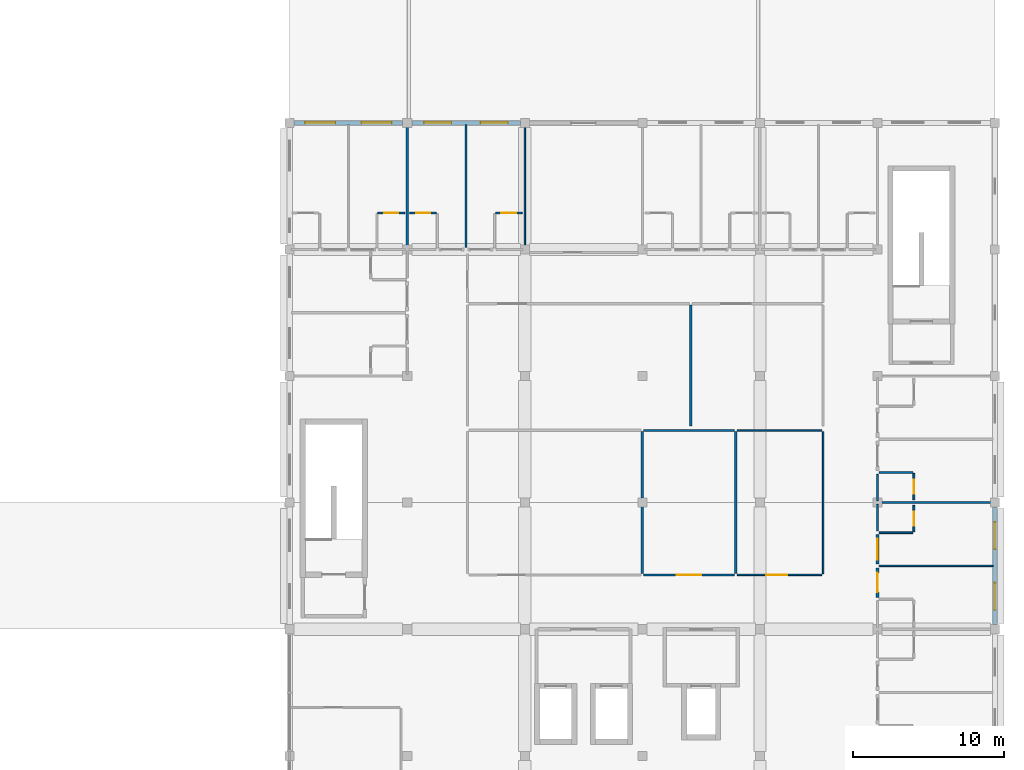
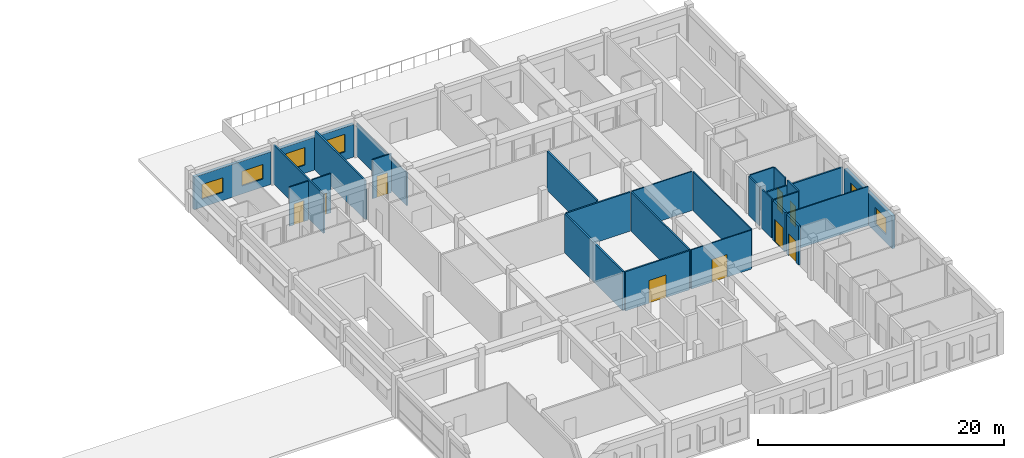
# One storey, part 22 of 32: 27 walls, 9 doors, 6 windows, 15 openings.
"""IFC4 building model written with IfcOpenShell, lengths in metres."""

from ifc_helpers import new_model, si_unit, direction, frame, frame_2d, origin, place, context, subcontext, project, spatial, rectangle, extrude, material, layer, layer_set, type_object, element, fill, save


model = new_model("IFC4")

# Units and contexts
model_context = context("Model", 3, precision=1e-05, world=origin(), true_north=direction((0.0, 1.0)))
body_context = subcontext(model_context, "Body", "Model", "MODEL_VIEW")
ifc_project = project(units=[si_unit("LENGTHUNIT", "METRE"), si_unit("AREAUNIT", "SQUARE_METRE"), si_unit("VOLUMEUNIT", "CUBIC_METRE"), si_unit("PLANEANGLEUNIT", "RADIAN"), si_unit("MASSUNIT", "GRAM", prefix="KILO"), si_unit("THERMODYNAMICTEMPERATUREUNIT", "KELVIN"), si_unit("POWERUNIT", "WATT")], contexts=[model_context])

# Site, building, storey
site_placement = place(None, origin())
site = spatial("IfcSite", under=ifc_project, at=site_placement, CompositionType="ELEMENT")
building_placement = place(site_placement, origin())
building = spatial("IfcBuilding", under=site, at=building_placement, Name="Srebrne Nadtorze General Hospital", CompositionType="ELEMENT")
storey_placement = place(building_placement, frame((0.0, 0.0, 29.699951171875)))
storey = spatial("IfcBuildingStorey", under=building, at=storey_placement, Name="L07", CompositionType="ELEMENT", Elevation=29.699951171875)

# Walls
ifc_material_1 = material(Name="Gypsum Healthcare Partition")
ifc_layer_1 = layer(ifc_material_1, 0.139892578125)
ifc_layer_set_1 = layer_set([ifc_layer_1], Name="Gypsum Healthcare Partition")
wall_type_1 = type_object("IfcWallType", Name="Clinical partition 140", PredefinedType="PARTITIONING", material=ifc_layer_set_1)
wall_1_placement = place(storey_placement, frame((109.199951171875, 75.719970703125, 0.0), z_axis=(0.0, 0.0, 1.0), x_axis=(0.0, 1.0, 0.0)))
element("IfcWall", 1, at=wall_1_placement, inside=storey, type_object=wall_type_1, Name="Ward inter-room partition WL-INT-L07-2335", PredefinedType="PARTITIONING", context=body_context, shape_type="SweptSolid", body=[
    extrude(rectangle(XDim=8.159912109375, YDim=0.139892578125, at=frame_2d((4.080078125, 0.0))), origin(), (0.0, 0.0, 1.0), 3.880126953125),
])
wall_2_placement = place(storey_placement, frame((140.52001953125, 58.800048828125, 0.0), z_axis=(0.0, 0.0, 1.0), x_axis=(1.0, 0.0, 0.0)))
element("IfcWall", 2, at=wall_2_placement, inside=storey, type_object=wall_type_1, Name="Ward inter-room partition WL-INT-L07-2396", PredefinedType="PARTITIONING", context=body_context, shape_type="SweptSolid", body=[
    extrude(rectangle(XDim=7.56005859375, YDim=0.139892578125, at=frame_2d((3.780029296875, 0.0))), origin(), (0.0, 0.0, 1.0), 3.25),
])

# Wall, opening, door
wall_3_placement = place(storey_placement, frame((124.885009765625, 54.0, 0.0), z_axis=(0.0, 0.0, 1.0), x_axis=(1.0, 0.0, 0.0)))
wall_3 = element("IfcWall", 3, at=wall_3_placement, inside=storey, type_object=wall_type_1, Name="Clean Utility wall WL-INT-L07-2445", PredefinedType="PARTITIONING", context=body_context, shape_type="SweptSolid", body=[
    extrude(rectangle(XDim=6.030029296875, YDim=0.139892578125, at=frame_2d((3.01513671875, 0.0))), origin(), (0.0, 0.0, 1.0), 3.880126953125),
])
opening_1_placement = place(wall_3_placement, frame((2.215087890625, 0.0, 0.0)))
opening_1 = element("IfcOpeningElement", 4, at=opening_1_placement, cuts=wall_3, Name="Opening D-L07-0565", PredefinedType="OPENING", context=body_context, shape_type="SweptSolid", body=[
    extrude(rectangle(XDim=1.60009765625, YDim=2.25, at=frame_2d((0.800048828125, 1.125))), frame((0.0, 0.08203125, 0.0), z_axis=(0.0, -1.0, 0.0), x_axis=(1.0, 0.0, 0.0)), (0.0, 0.0, 1.0), 0.163818359375),
])
ifc_material_2 = material(Name="Anodised Aluminium", Category="aluminium")
door_type_1 = type_object("IfcDoorType", Name="Double leaf door 1600x2250", OperationType="DOUBLE_DOOR_SINGLE_SWING", PredefinedType="DOOR", material=ifc_material_2)
door_1_placement = place(opening_1_placement, origin())
door_1 = element("IfcDoor", 5, at=door_1_placement, inside=storey, type_object=door_type_1, Name="Clean Utility door D-L07-0565", OperationType="DOUBLE_DOOR_SINGLE_SWING", OverallHeight=2.25, OverallWidth=1.60009765625, PredefinedType="DOOR", context=body_context, shape_type="SweptSolid", body=[
    extrude(rectangle(XDim=1.60009765625, YDim=2.25, at=frame_2d((0.800048828125, 1.125))), frame((0.0, 0.02490234375, 0.0), z_axis=(0.0, -1.0, 0.0), x_axis=(1.0, 0.0, 0.0)), (0.0, 0.0, 1.0), 0.050048828125),
])
fill(opening_1, door_1)

# Walls
wall_4_placement = place(storey_placement, frame((124.885009765625, 63.60009765625, 0.0), z_axis=(0.0, 0.0, 1.0), x_axis=(1.0, 0.0, 0.0)))
element("IfcWall", 6, at=wall_4_placement, inside=storey, type_object=wall_type_1, Name="Clean Utility wall WL-INT-L07-2446", PredefinedType="PARTITIONING", context=body_context, shape_type="SweptSolid", body=[
    extrude(rectangle(XDim=6.030029296875, YDim=0.139892578125, at=frame_2d((3.01513671875, 0.0))), origin(), (0.0, 0.0, 1.0), 3.880126953125),
])
wall_5_placement = place(storey_placement, frame((131.0, 54.0849609375, 0.0), z_axis=(0.0, 0.0, 1.0), x_axis=(0.0, 1.0, 0.0)))
element("IfcWall", 7, at=wall_5_placement, inside=storey, type_object=wall_type_1, Name="Clean Utility wall WL-INT-L07-2447", PredefinedType="PARTITIONING", context=body_context, shape_type="SweptSolid", body=[
    extrude(rectangle(XDim=9.429931640625, YDim=0.139892578125, at=frame_2d((4.71484375, 0.0))), origin(), (0.0, 0.0, 1.0), 3.880126953125),
])
ifc_material_3 = material(Name="Gypsum Healthcare Partition")
ifc_layer_2 = layer(ifc_material_3, 0.159912109375)
ifc_layer_set_2 = layer_set([ifc_layer_2], Name="Gypsum Healthcare Partition")
wall_type_2 = type_object("IfcWallType", Name="Clinical partition 160", PredefinedType="PARTITIONING", material=ifc_layer_set_2)
wall_6_placement = place(storey_placement, frame((113.10009765625, 75.719970703125, 0.0), z_axis=(0.0, 0.0, 1.0), x_axis=(0.0, 1.0, 0.0)))
element("IfcWall", 8, at=wall_6_placement, inside=storey, type_object=wall_type_2, Name="Ward inter-room partition WL-INT-L07-2340", PredefinedType="PARTITIONING", context=body_context, shape_type="SweptSolid", body=[
    extrude(rectangle(XDim=8.159912109375, YDim=0.159912109375, at=frame_2d((4.080078125, 0.0))), origin(), (0.0, 0.0, 1.0), 3.880126953125),
])
wall_7_placement = place(storey_placement, frame((124.800048828125, 54.0849609375, 0.0), z_axis=(0.0, 0.0, 1.0), x_axis=(0.0, 1.0, 0.0)))
element("IfcWall", 9, at=wall_7_placement, inside=storey, type_object=wall_type_2, Name="Nursing Station wall WL-INT-L07-2444", PredefinedType="PARTITIONING", context=body_context, shape_type="SweptSolid", body=[
    extrude(rectangle(XDim=9.429931640625, YDim=0.159912109375, at=frame_2d((4.71484375, 0.0))), origin(), (0.0, 0.0, 1.0), 3.880126953125),
])
wall_8_placement = place(storey_placement, frame((128.0, 63.885009765625, 0.0), z_axis=(0.0, 0.0, 1.0), x_axis=(0.0, 1.0, 0.0)))
element("IfcWall", 10, at=wall_8_placement, inside=storey, type_object=wall_type_2, Name="Neonatal Intensive Care wall WL-INT-L07-2453", PredefinedType="PARTITIONING", context=body_context, shape_type="SweptSolid", body=[
    extrude(rectangle(XDim=8.030029296875, YDim=0.159912109375, at=frame_2d((4.01513671875, 0.0))), origin(), (0.0, 0.0, 1.0), 3.880126953125),
])

# Wall, opening, door
ifc_material_4 = material(Name="Gypsum Healthcare Partition")
ifc_layer_3 = layer(ifc_material_4, 0.199951171875)
ifc_layer_set_3 = layer_set([ifc_layer_3], Name="Gypsum Healthcare Partition")
wall_type_3 = type_object("IfcWallType", Name="Compartment wall 200", PredefinedType="STANDARD", material=ifc_layer_set_3)
wall_9_placement = place(storey_placement, frame((140.39990234375, 52.52001953125, 0.0), z_axis=(0.0, 0.0, 1.0), x_axis=(0.0, 1.0, 0.0)))
wall_9 = element("IfcWall", 11, at=wall_9_placement, inside=storey, type_object=wall_type_3, Name="Ward corridor wall WL-INT-L07-2392", PredefinedType="STANDARD", context=body_context, shape_type="SweptSolid", body=[
    extrude(rectangle(XDim=1.9599609375, YDim=0.199951171875, at=frame_2d((0.97998046875, 0.0))), origin(), (0.0, 0.0, 1.0), 3.880126953125),
])
opening_2_placement = place(wall_9_placement, frame((0.340087890625, 0.0, 0.0)))
opening_2 = element("IfcOpeningElement", 12, at=opening_2_placement, cuts=wall_9, Name="Opening D-L07-0545", PredefinedType="OPENING", context=body_context, shape_type="SweptSolid", body=[
    extrude(rectangle(XDim=1.280029296875, YDim=2.14990234375, at=frame_2d((0.64013671875, 1.074951171875))), frame((0.0, 0.11181640625, 0.0), z_axis=(0.0, -1.0, 0.0), x_axis=(1.0, 0.0, 0.0)), (0.0, 0.0, 1.0), 0.223876953125),
])
ifc_material_5 = material(Name="Anodised Aluminium", Category="aluminium")
door_type_2 = type_object("IfcDoorType", Name="Single leaf door 1280x2150", OperationType="NOTDEFINED", PredefinedType="DOOR", material=ifc_material_5)
door_2_placement = place(opening_2_placement, frame((1.280029296875, 0.0, 0.0), z_axis=(0.0, 0.0, 1.0), x_axis=(-1.0, 0.0, 0.0)))
door_2 = element("IfcDoor", 13, at=door_2_placement, inside=storey, type_object=door_type_2, Name="Ward patient room door D-L07-0545", OperationType="SINGLE_SWING_LEFT", OverallHeight=2.14990234375, OverallWidth=1.280029296875, PredefinedType="DOOR", context=body_context, shape_type="SweptSolid", body=[
    extrude(rectangle(XDim=1.280029296875, YDim=2.14990234375, at=frame_2d((0.64013671875, 1.074951171875))), frame((0.0, 0.02490234375, 0.0), z_axis=(0.0, -1.0, 0.0), x_axis=(1.0, 0.0, 0.0)), (0.0, 0.0, 1.0), 0.050048828125),
])
fill(opening_2, door_2)

wall_10_placement = place(storey_placement, frame((140.39990234375, 54.719970703125, 0.0), z_axis=(0.0, 0.0, 1.0), x_axis=(0.0, 1.0, 0.0)))
wall_10 = element("IfcWall", 14, at=wall_10_placement, inside=storey, type_object=wall_type_3, Name="Ward corridor wall WL-INT-L07-2397", PredefinedType="STANDARD", context=body_context, shape_type="SweptSolid", body=[
    extrude(rectangle(XDim=1.9599609375, YDim=0.199951171875, at=frame_2d((0.97998046875, 0.0))), origin(), (0.0, 0.0, 1.0), 3.880126953125),
])
opening_3_placement = place(wall_10_placement, frame((0.2900390625, 0.0, 0.0)))
opening_3 = element("IfcOpeningElement", 15, at=opening_3_placement, cuts=wall_10, Name="Opening D-L07-0547", PredefinedType="OPENING", context=body_context, shape_type="SweptSolid", body=[
    extrude(rectangle(XDim=1.3798828125, YDim=2.199951171875, at=frame_2d((0.68994140625, 1.10009765625))), frame((0.0, 0.11181640625, 0.0), z_axis=(0.0, -1.0, 0.0), x_axis=(1.0, 0.0, 0.0)), (0.0, 0.0, 1.0), 0.223876953125),
])
ifc_material_6 = material(Name="Anodised Aluminium", Category="aluminium")
door_type_3 = type_object("IfcDoorType", Name="Single leaf door 1380x2200", OperationType="NOTDEFINED", PredefinedType="DOOR", material=ifc_material_6)
door_3_placement = place(opening_3_placement, frame((1.3798828125, 0.0, 0.0), z_axis=(0.0, 0.0, 1.0), x_axis=(-1.0, 0.0, 0.0)))
door_3 = element("IfcDoor", 16, at=door_3_placement, inside=storey, type_object=door_type_3, Name="Ward patient room door D-L07-0547", OperationType="SINGLE_SWING_LEFT", OverallHeight=2.199951171875, OverallWidth=1.3798828125, PredefinedType="DOOR", context=body_context, shape_type="SweptSolid", body=[
    extrude(rectangle(XDim=1.3798828125, YDim=2.199951171875, at=frame_2d((0.68994140625, 1.10009765625))), frame((0.0, 0.02490234375, 0.0), z_axis=(0.0, -1.0, 0.0), x_axis=(1.0, 0.0, 0.0)), (0.0, 0.0, 1.0), 0.050048828125),
])
fill(opening_3, door_3)

ifc_material_7 = material(Name="Gypsum Healthcare Partition")
ifc_layer_4 = layer(ifc_material_7, 0.1201171875)
ifc_layer_set_4 = layer_set([ifc_layer_4], Name="Gypsum Healthcare Partition")
wall_type_4 = type_object("IfcWallType", Name="En-suite partition 120", PredefinedType="PARTITIONING", material=ifc_layer_set_4)
wall_11_placement = place(storey_placement, frame((107.260009765625, 78.02001953125, 0.0), z_axis=(0.0, 0.0, 1.0), x_axis=(1.0, 0.0, 0.0)))
wall_11 = element("IfcWall", 17, at=wall_11_placement, inside=storey, type_object=wall_type_4, Name="En-suite wet wall WL-INT-L07-2339", PredefinedType="PARTITIONING", context=body_context, shape_type="SweptSolid", body=[
    extrude(rectangle(XDim=1.760009765625, YDim=0.1201171875, at=frame_2d((0.8798828125, 0.0))), origin(), (0.0, 0.0, 1.0), 3.880126953125),
])
opening_4_placement = place(wall_11_placement, frame((0.419921875, 0.0, 0.0)))
opening_4 = element("IfcOpeningElement", 18, at=opening_4_placement, cuts=wall_11, Name="Opening D-L07-0524", PredefinedType="OPENING", context=body_context, shape_type="SweptSolid", body=[
    extrude(rectangle(XDim=0.919921875, YDim=2.080078125, at=frame_2d((0.4599609375, 1.0400390625))), frame((0.0, 0.072021484375, 0.0), z_axis=(0.0, -1.0, 0.0), x_axis=(1.0, 0.0, 0.0)), (0.0, 0.0, 1.0), 0.14404296875),
])
ifc_material_8 = material(Name="Anodised Aluminium", Category="aluminium")
door_type_4 = type_object("IfcDoorType", Name="Single leaf door 920x2080", OperationType="NOTDEFINED", PredefinedType="DOOR", material=ifc_material_8)
door_4_placement = place(opening_4_placement, frame((0.919921875, 0.0, 0.0), z_axis=(0.0, 0.0, 1.0), x_axis=(-1.0, 0.0, 0.0)))
door_4 = element("IfcDoor", 19, at=door_4_placement, inside=storey, type_object=door_type_4, Name="En-suite bathroom door D-L07-0524", OperationType="SINGLE_SWING_LEFT", OverallHeight=2.080078125, OverallWidth=0.919921875, PredefinedType="DOOR", context=body_context, shape_type="SweptSolid", body=[
    extrude(rectangle(XDim=0.919921875, YDim=2.080078125, at=frame_2d((0.4599609375, 1.0400390625))), frame((0.0, 0.02490234375, 0.0), z_axis=(0.0, -1.0, 0.0), x_axis=(1.0, 0.0, 0.0)), (0.0, 0.0, 1.0), 0.050048828125),
])
fill(opening_4, door_4)

wall_12_placement = place(storey_placement, frame((109.3798828125, 78.02001953125, 0.0), z_axis=(0.0, 0.0, 1.0), x_axis=(1.0, 0.0, 0.0)))
wall_12 = element("IfcWall", 20, at=wall_12_placement, inside=storey, type_object=wall_type_4, Name="En-suite wet wall WL-INT-L07-2344", PredefinedType="PARTITIONING", context=body_context, shape_type="SweptSolid", body=[
    extrude(rectangle(XDim=1.760009765625, YDim=0.1201171875, at=frame_2d((0.8798828125, 0.0))), origin(), (0.0, 0.0, 1.0), 3.880126953125),
])
opening_5_placement = place(wall_12_placement, frame((0.405029296875, 0.0, 0.0)))
opening_5 = element("IfcOpeningElement", 21, at=opening_5_placement, cuts=wall_12, Name="Opening D-L07-0526", PredefinedType="OPENING", context=body_context, shape_type="SweptSolid", body=[
    extrude(rectangle(XDim=0.949951171875, YDim=2.10009765625, at=frame_2d((0.47509765625, 1.050048828125))), frame((0.0, 0.072021484375, 0.0), z_axis=(0.0, -1.0, 0.0), x_axis=(1.0, 0.0, 0.0)), (0.0, 0.0, 1.0), 0.14404296875),
])
ifc_material_9 = material(Name="Anodised Aluminium", Category="aluminium")
door_type_5 = type_object("IfcDoorType", Name="Single leaf door 950x2100", OperationType="NOTDEFINED", PredefinedType="DOOR", material=ifc_material_9)
door_5_placement = place(opening_5_placement, frame((0.949951171875, 0.0, 0.0), z_axis=(0.0, 0.0, 1.0), x_axis=(-1.0, 0.0, 0.0)))
door_5 = element("IfcDoor", 22, at=door_5_placement, inside=storey, type_object=door_type_5, Name="En-suite bathroom door D-L07-0526", OperationType="SINGLE_SWING_LEFT", OverallHeight=2.10009765625, OverallWidth=0.949951171875, PredefinedType="DOOR", context=body_context, shape_type="SweptSolid", body=[
    extrude(rectangle(XDim=0.949951171875, YDim=2.10009765625, at=frame_2d((0.47509765625, 1.050048828125))), frame((0.0, 0.02490234375, 0.0), z_axis=(0.0, -1.0, 0.0), x_axis=(1.0, 0.0, 0.0)), (0.0, 0.0, 1.0), 0.050048828125),
])
fill(opening_5, door_5)

wall_13_placement = place(storey_placement, frame((115.06005859375, 78.02001953125, 0.0), z_axis=(0.0, 0.0, 1.0), x_axis=(1.0, 0.0, 0.0)))
wall_13 = element("IfcWall", 23, at=wall_13_placement, inside=storey, type_object=wall_type_4, Name="En-suite wet wall WL-INT-L07-2349", PredefinedType="PARTITIONING", context=body_context, shape_type="SweptSolid", body=[
    extrude(rectangle(XDim=1.760009765625, YDim=0.1201171875, at=frame_2d((0.8798828125, 0.0))), origin(), (0.0, 0.0, 1.0), 3.880126953125),
])
opening_6_placement = place(wall_13_placement, frame((0.3798828125, 0.0, 0.0)))
opening_6 = element("IfcOpeningElement", 24, at=opening_6_placement, cuts=wall_13, Name="Opening D-L07-0528", PredefinedType="OPENING", context=body_context, shape_type="SweptSolid", body=[
    extrude(rectangle(XDim=1.0, YDim=2.10009765625, at=frame_2d((0.5, 1.050048828125))), frame((0.0, 0.072021484375, 0.0), z_axis=(0.0, -1.0, 0.0), x_axis=(1.0, 0.0, 0.0)), (0.0, 0.0, 1.0), 0.14404296875),
])
ifc_material_10 = material(Name="Anodised Aluminium", Category="aluminium")
door_type_6 = type_object("IfcDoorType", Name="Single leaf door 1000x2100", OperationType="NOTDEFINED", PredefinedType="DOOR", material=ifc_material_10)
door_6_placement = place(opening_6_placement, frame((1.0, 0.0, 0.0), z_axis=(0.0, 0.0, 1.0), x_axis=(-1.0, 0.0, 0.0)))
door_6 = element("IfcDoor", 25, at=door_6_placement, inside=storey, type_object=door_type_6, Name="En-suite bathroom door D-L07-0528", OperationType="SINGLE_SWING_LEFT", OverallHeight=2.10009765625, OverallWidth=1.0, PredefinedType="DOOR", context=body_context, shape_type="SweptSolid", body=[
    extrude(rectangle(XDim=1.0, YDim=2.10009765625, at=frame_2d((0.5, 1.050048828125))), frame((0.0, 0.02490234375, 0.0), z_axis=(0.0, -1.0, 0.0), x_axis=(1.0, 0.0, 0.0)), (0.0, 0.0, 1.0), 0.050048828125),
])
fill(opening_6, door_6)

# Walls
wall_14_placement = place(storey_placement, frame((140.39990234375, 56.919921875, 0.0), z_axis=(0.0, 0.0, 1.0), x_axis=(0.0, 1.0, 0.0)))
element("IfcWall", 26, at=wall_14_placement, inside=storey, type_object=wall_type_4, Name="En-suite corridor wall WL-INT-L07-2398", PredefinedType="PARTITIONING", context=body_context, shape_type="SweptSolid", body=[
    extrude(rectangle(XDim=1.760009765625, YDim=0.1201171875, at=frame_2d((0.8798828125, 0.0))), origin(), (0.0, 0.0, 1.0), 3.880126953125),
])
wall_15_placement = place(storey_placement, frame((140.52001953125, 56.800048828125, 0.0), z_axis=(0.0, 0.0, 1.0), x_axis=(1.0, 0.0, 0.0)))
element("IfcWall", 27, at=wall_15_placement, inside=storey, type_object=wall_type_4, Name="En-suite wet wall WL-INT-L07-2399", PredefinedType="PARTITIONING", context=body_context, shape_type="SweptSolid", body=[
    extrude(rectangle(XDim=2.239990234375, YDim=0.1201171875, at=frame_2d((1.1201171875, 0.0))), origin(), (0.0, 0.0, 1.0), 3.880126953125),
])

# Wall, opening, door
wall_16_placement = place(storey_placement, frame((142.820068359375, 56.860107421875, 0.0), z_axis=(0.0, 0.0, 1.0), x_axis=(0.0, 1.0, 0.0)))
wall_16 = element("IfcWall", 28, at=wall_16_placement, inside=storey, type_object=wall_type_4, Name="En-suite wet wall WL-INT-L07-2400", PredefinedType="PARTITIONING", context=body_context, shape_type="SweptSolid", body=[
    extrude(rectangle(XDim=1.760009765625, YDim=0.1201171875, at=frame_2d((0.8798828125, 0.0))), origin(), (0.0, 0.0, 1.0), 3.880126953125),
])
opening_7_placement = place(wall_16_placement, frame((0.419921875, 0.0, 0.0)))
opening_7 = element("IfcOpeningElement", 29, at=opening_7_placement, cuts=wall_16, Name="Opening D-L07-0548", PredefinedType="OPENING", context=body_context, shape_type="SweptSolid", body=[
    extrude(rectangle(XDim=0.919921875, YDim=2.080078125, at=frame_2d((0.4599609375, 1.0400390625))), frame((0.0, 0.072021484375, 0.0), z_axis=(0.0, -1.0, 0.0), x_axis=(1.0, 0.0, 0.0)), (0.0, 0.0, 1.0), 0.14404296875),
])
door_7_placement = place(opening_7_placement, origin())
door_7 = element("IfcDoor", 30, at=door_7_placement, inside=storey, type_object=door_type_4, Name="En-suite bathroom door D-L07-0548", OperationType="SINGLE_SWING_LEFT", OverallHeight=2.080078125, OverallWidth=0.919921875, PredefinedType="DOOR", context=body_context, shape_type="SweptSolid", body=[
    extrude(rectangle(XDim=0.919921875, YDim=2.080078125, at=frame_2d((0.4599609375, 1.0400390625))), frame((0.0, 0.02490234375, 0.0), z_axis=(0.0, -1.0, 0.0), x_axis=(1.0, 0.0, 0.0)), (0.0, 0.0, 1.0), 0.050048828125),
])
fill(opening_7, door_7)

# Walls
wall_17_placement = place(storey_placement, frame((140.39990234375, 58.919921875, 0.0), z_axis=(0.0, 0.0, 1.0), x_axis=(0.0, 1.0, 0.0)))
element("IfcWall", 31, at=wall_17_placement, inside=storey, type_object=wall_type_4, Name="En-suite corridor wall WL-INT-L07-2403", PredefinedType="PARTITIONING", context=body_context, shape_type="SweptSolid", body=[
    extrude(rectangle(XDim=1.760009765625, YDim=0.1201171875, at=frame_2d((0.8798828125, 0.0))), origin(), (0.0, 0.0, 1.0), 3.880126953125),
])
wall_18_placement = place(storey_placement, frame((140.52001953125, 60.800048828125, 0.0), z_axis=(0.0, 0.0, 1.0), x_axis=(1.0, 0.0, 0.0)))
element("IfcWall", 32, at=wall_18_placement, inside=storey, type_object=wall_type_4, Name="En-suite wet wall WL-INT-L07-2404", PredefinedType="PARTITIONING", context=body_context, shape_type="SweptSolid", body=[
    extrude(rectangle(XDim=2.239990234375, YDim=0.1201171875, at=frame_2d((1.1201171875, 0.0))), origin(), (0.0, 0.0, 1.0), 3.880126953125),
])

# Wall, opening, door
wall_19_placement = place(storey_placement, frame((142.820068359375, 58.97998046875, 0.0), z_axis=(0.0, 0.0, 1.0), x_axis=(0.0, 1.0, 0.0)))
wall_19 = element("IfcWall", 33, at=wall_19_placement, inside=storey, type_object=wall_type_4, Name="En-suite wet wall WL-INT-L07-2405", PredefinedType="PARTITIONING", context=body_context, shape_type="SweptSolid", body=[
    extrude(rectangle(XDim=1.760009765625, YDim=0.1201171875, at=frame_2d((0.8798828125, 0.0))), origin(), (0.0, 0.0, 1.0), 3.880126953125),
])
opening_8_placement = place(wall_19_placement, frame((0.405029296875, 0.0, 0.0)))
opening_8 = element("IfcOpeningElement", 34, at=opening_8_placement, cuts=wall_19, Name="Opening D-L07-0550", PredefinedType="OPENING", context=body_context, shape_type="SweptSolid", body=[
    extrude(rectangle(XDim=0.949951171875, YDim=2.10009765625, at=frame_2d((0.47509765625, 1.050048828125))), frame((0.0, 0.072021484375, 0.0), z_axis=(0.0, -1.0, 0.0), x_axis=(1.0, 0.0, 0.0)), (0.0, 0.0, 1.0), 0.14404296875),
])
door_8_placement = place(opening_8_placement, origin())
door_8 = element("IfcDoor", 35, at=door_8_placement, inside=storey, type_object=door_type_5, Name="En-suite bathroom door D-L07-0550", OperationType="SINGLE_SWING_LEFT", OverallHeight=2.10009765625, OverallWidth=0.949951171875, PredefinedType="DOOR", context=body_context, shape_type="SweptSolid", body=[
    extrude(rectangle(XDim=0.949951171875, YDim=2.10009765625, at=frame_2d((0.47509765625, 1.050048828125))), frame((0.0, 0.02490234375, 0.0), z_axis=(0.0, -1.0, 0.0), x_axis=(1.0, 0.0, 0.0)), (0.0, 0.0, 1.0), 0.050048828125),
])
fill(opening_8, door_8)

# Walls
ifc_material_11 = material(Name="Gypsum Healthcare Partition")
ifc_layer_5 = layer(ifc_material_11, 0.10009765625)
ifc_layer_set_5 = layer_set([ifc_layer_5], Name="Gypsum Healthcare Partition")
wall_type_5 = type_object("IfcWallType", Name="Shaft lining wall 100", PredefinedType="PARTITIONING", material=ifc_layer_set_5)
wall_20_placement = place(storey_placement, frame((117.0, 75.719970703125, 0.0), z_axis=(0.0, 0.0, 1.0), x_axis=(0.0, 1.0, 0.0)))
element("IfcWall", 36, at=wall_20_placement, inside=storey, type_object=wall_type_5, Name="Ward inter-room partition WL-INT-L07-2345", PredefinedType="PARTITIONING", context=body_context, shape_type="SweptSolid", body=[
    extrude(rectangle(XDim=8.159912109375, YDim=0.10009765625, at=frame_2d((4.080078125, 0.0))), origin(), (0.0, 0.0, 1.0), 3.25),
])
wall_21_placement = place(storey_placement, frame((140.52001953125, 54.60009765625, 0.0), z_axis=(0.0, 0.0, 1.0), x_axis=(1.0, 0.0, 0.0)))
element("IfcWall", 37, at=wall_21_placement, inside=storey, type_object=wall_type_5, Name="Ward inter-room partition WL-INT-L07-2391", PredefinedType="PARTITIONING", context=body_context, shape_type="SweptSolid", body=[
    extrude(rectangle(XDim=7.56005859375, YDim=0.10009765625, at=frame_2d((3.780029296875, 0.0))), origin(), (0.0, 0.0, 1.0), 3.880126953125),
])

# Wall, opening, door
wall_22_placement = place(storey_placement, frame((131.0849609375, 54.0, 0.0), z_axis=(0.0, 0.0, 1.0), x_axis=(1.0, 0.0, 0.0)))
wall_22 = element("IfcWall", 38, at=wall_22_placement, inside=storey, type_object=wall_type_5, Name="Dirty Utility wall WL-INT-L07-2448", PredefinedType="PARTITIONING", context=body_context, shape_type="SweptSolid", body=[
    extrude(rectangle(XDim=5.630126953125, YDim=0.10009765625, at=frame_2d((2.81494140625, 0.0))), origin(), (0.0, 0.0, 1.0), 3.880126953125),
])
opening_9_placement = place(wall_22_placement, frame((1.945556640625, 0.0, 0.0)))
opening_9 = element("IfcOpeningElement", 39, at=opening_9_placement, cuts=wall_22, Name="Opening D-L07-0566", PredefinedType="OPENING", context=body_context, shape_type="SweptSolid", body=[
    extrude(rectangle(XDim=1.39990234375, YDim=2.25, at=frame_2d((0.699951171875, 1.125))), frame((0.0, 0.06201171875, 0.0), z_axis=(0.0, -1.0, 0.0), x_axis=(1.0, 0.0, 0.0)), (0.0, 0.0, 1.0), 0.1240234375),
])
ifc_material_12 = material(Name="Anodised Aluminium", Category="aluminium")
door_type_7 = type_object("IfcDoorType", Name="Single leaf door 1400x2250", OperationType="NOTDEFINED", PredefinedType="DOOR", material=ifc_material_12)
door_9_placement = place(opening_9_placement, origin())
door_9 = element("IfcDoor", 40, at=door_9_placement, inside=storey, type_object=door_type_7, Name="Dirty Utility door D-L07-0566", OperationType="SINGLE_SWING_LEFT", OverallHeight=2.25, OverallWidth=1.39990234375, PredefinedType="DOOR", context=body_context, shape_type="SweptSolid", body=[
    extrude(rectangle(XDim=1.39990234375, YDim=2.25, at=frame_2d((0.699951171875, 1.125))), frame((0.0, 0.02490234375, 0.0), z_axis=(0.0, -1.0, 0.0), x_axis=(1.0, 0.0, 0.0)), (0.0, 0.0, 1.0), 0.050048828125),
])
fill(opening_9, door_9)

# Walls
wall_23_placement = place(storey_placement, frame((131.0849609375, 63.60009765625, 0.0), z_axis=(0.0, 0.0, 1.0), x_axis=(1.0, 0.0, 0.0)))
element("IfcWall", 41, at=wall_23_placement, inside=storey, type_object=wall_type_5, Name="Dirty Utility wall WL-INT-L07-2449", PredefinedType="PARTITIONING", context=body_context, shape_type="SweptSolid", body=[
    extrude(rectangle(XDim=5.630126953125, YDim=0.10009765625, at=frame_2d((2.81494140625, 0.0))), origin(), (0.0, 0.0, 1.0), 3.880126953125),
])
wall_24_placement = place(storey_placement, frame((136.800048828125, 54.0849609375, 0.0), z_axis=(0.0, 0.0, 1.0), x_axis=(0.0, 1.0, 0.0)))
element("IfcWall", 42, at=wall_24_placement, inside=storey, type_object=wall_type_5, Name="Dirty Utility wall WL-INT-L07-2450", PredefinedType="PARTITIONING", context=body_context, shape_type="SweptSolid", body=[
    extrude(rectangle(XDim=9.429931640625, YDim=0.10009765625, at=frame_2d((4.71484375, 0.0))), origin(), (0.0, 0.0, 1.0), 3.880126953125),
])

# Wall, openings, windows
ifc_material_13 = material(Name="Concrete C35/45 precast", Category="concrete")
ifc_layer_6 = layer(ifc_material_13, 0.280029296875)
ifc_layer_set_6 = layer_set([ifc_layer_6], Name="Concrete C35/45 precast")
wall_type_6 = type_object("IfcWallType", Name="Spandrel wall 280", PredefinedType="STANDARD", material=ifc_layer_set_6)
wall_25_placement = place(storey_placement, frame((101.699951171875, 84.0, 0.0), z_axis=(0.0, 0.0, 1.0), x_axis=(1.0, 0.0, 0.0)))
wall_25 = element("IfcWall", 43, at=wall_25_placement, inside=storey, type_object=wall_type_6, Name="Exterior wall WL-ENV-L07-0516", PredefinedType="STANDARD", context=body_context, shape_type="SweptSolid", body=[
    extrude(rectangle(XDim=7.199951171875, YDim=0.280029296875, at=frame_2d((3.60009765625, 0.0))), origin(), (0.0, 0.0, 1.0), 3.25),
])
opening_10_placement = place(wall_25_placement, frame((0.72802734375, 0.0, 0.800048828125)))
opening_10 = element("IfcOpeningElement", 44, at=opening_10_placement, cuts=wall_25, Name="Opening WN-L07-0866", PredefinedType="OPENING", context=body_context, shape_type="SweptSolid", body=[
    extrude(rectangle(XDim=2.0, YDim=1.449951171875, at=frame_2d((1.0, 0.72509765625))), frame((0.0, 0.15185546875, 0.0), z_axis=(0.0, -1.0, 0.0), x_axis=(1.0, 0.0, 0.0)), (0.0, 0.0, 1.0), 0.303955078125),
])
opening_11_placement = place(wall_25_placement, frame((4.471923828125, 0.0, 0.800048828125)))
opening_11 = element("IfcOpeningElement", 45, at=opening_11_placement, cuts=wall_25, Name="Opening WN-L07-0867", PredefinedType="OPENING", context=body_context, shape_type="SweptSolid", body=[
    extrude(rectangle(XDim=2.0, YDim=1.449951171875, at=frame_2d((1.0, 0.72509765625))), frame((0.0, 0.15185546875, 0.0), z_axis=(0.0, -1.0, 0.0), x_axis=(1.0, 0.0, 0.0)), (0.0, 0.0, 1.0), 0.303955078125),
])
ifc_material_14 = material(Name="Triple Low-E Glazing", Category="glass")
window_type_1 = type_object("IfcWindowType", Name="Punched clinical window 2000x1450", PartitioningType="DOUBLE_PANEL_VERTICAL", PredefinedType="WINDOW", material=ifc_material_14)
window_1_placement = place(opening_10_placement, origin())
window_1 = element("IfcWindow", 46, at=window_1_placement, inside=storey, type_object=window_type_1, Name="Clinical window WN-L07-0866", OverallHeight=1.449951171875, OverallWidth=2.0, PartitioningType="DOUBLE_PANEL_VERTICAL", PredefinedType="WINDOW", context=body_context, shape_type="SweptSolid", body=[
    extrude(rectangle(XDim=2.0, YDim=1.449951171875, at=frame_2d((1.0, 0.72509765625))), frame((0.0, 0.030029296875, 0.0), z_axis=(0.0, -1.0, 0.0), x_axis=(1.0, 0.0, 0.0)), (0.0, 0.0, 1.0), 0.06005859375),
])
fill(opening_10, window_1)
window_2_placement = place(opening_11_placement, origin())
window_2 = element("IfcWindow", 47, at=window_2_placement, inside=storey, type_object=window_type_1, Name="Clinical window WN-L07-0867", OverallHeight=1.449951171875, OverallWidth=2.0, PartitioningType="DOUBLE_PANEL_VERTICAL", PredefinedType="WINDOW", context=body_context, shape_type="SweptSolid", body=[
    extrude(rectangle(XDim=2.0, YDim=1.449951171875, at=frame_2d((1.0, 0.72509765625))), frame((0.0, 0.030029296875, 0.0), z_axis=(0.0, -1.0, 0.0), x_axis=(1.0, 0.0, 0.0)), (0.0, 0.0, 1.0), 0.06005859375),
])
fill(opening_11, window_2)

wall_26_placement = place(storey_placement, frame((109.5, 84.0, 0.0), z_axis=(0.0, 0.0, 1.0), x_axis=(1.0, 0.0, 0.0)))
wall_26 = element("IfcWall", 48, at=wall_26_placement, inside=storey, type_object=wall_type_6, Name="Exterior wall WL-ENV-L07-0517", PredefinedType="STANDARD", context=body_context, shape_type="SweptSolid", body=[
    extrude(rectangle(XDim=7.199951171875, YDim=0.280029296875, at=frame_2d((3.60009765625, 0.0))), origin(), (0.0, 0.0, 1.0), 3.25),
])
opening_12_placement = place(wall_26_placement, frame((0.827880859375, 0.0, 0.800048828125)))
opening_12 = element("IfcOpeningElement", 49, at=opening_12_placement, cuts=wall_26, Name="Opening WN-L07-0868", PredefinedType="OPENING", context=body_context, shape_type="SweptSolid", body=[
    extrude(rectangle(XDim=1.800048828125, YDim=1.75, at=frame_2d((0.89990234375, 0.875))), frame((0.0, 0.15185546875, 0.0), z_axis=(0.0, -1.0, 0.0), x_axis=(1.0, 0.0, 0.0)), (0.0, 0.0, 1.0), 0.303955078125),
])
opening_13_placement = place(wall_26_placement, frame((4.572021484375, 0.0, 0.800048828125)))
opening_13 = element("IfcOpeningElement", 50, at=opening_13_placement, cuts=wall_26, Name="Opening WN-L07-0869", PredefinedType="OPENING", context=body_context, shape_type="SweptSolid", body=[
    extrude(rectangle(XDim=1.800048828125, YDim=1.75, at=frame_2d((0.89990234375, 0.875))), frame((0.0, 0.15185546875, 0.0), z_axis=(0.0, -1.0, 0.0), x_axis=(1.0, 0.0, 0.0)), (0.0, 0.0, 1.0), 0.303955078125),
])
ifc_material_15 = material(Name="Triple Low-E Glazing", Category="glass")
window_type_2 = type_object("IfcWindowType", Name="Punched clinical window 1800x1750", PartitioningType="DOUBLE_PANEL_VERTICAL", PredefinedType="WINDOW", material=ifc_material_15)
window_3_placement = place(opening_12_placement, origin())
window_3 = element("IfcWindow", 51, at=window_3_placement, inside=storey, type_object=window_type_2, Name="Clinical window WN-L07-0868", OverallHeight=1.75, OverallWidth=1.800048828125, PartitioningType="DOUBLE_PANEL_VERTICAL", PredefinedType="WINDOW", context=body_context, shape_type="SweptSolid", body=[
    extrude(rectangle(XDim=1.800048828125, YDim=1.75, at=frame_2d((0.89990234375, 0.875))), frame((0.0, 0.030029296875, 0.0), z_axis=(0.0, -1.0, 0.0), x_axis=(1.0, 0.0, 0.0)), (0.0, 0.0, 1.0), 0.06005859375),
])
fill(opening_12, window_3)
window_4_placement = place(opening_13_placement, origin())
window_4 = element("IfcWindow", 52, at=window_4_placement, inside=storey, type_object=window_type_2, Name="Clinical window WN-L07-0869", OverallHeight=1.75, OverallWidth=1.800048828125, PartitioningType="DOUBLE_PANEL_VERTICAL", PredefinedType="WINDOW", context=body_context, shape_type="SweptSolid", body=[
    extrude(rectangle(XDim=1.800048828125, YDim=1.75, at=frame_2d((0.89990234375, 0.875))), frame((0.0, 0.030029296875, 0.0), z_axis=(0.0, -1.0, 0.0), x_axis=(1.0, 0.0, 0.0)), (0.0, 0.0, 1.0), 0.06005859375),
])
fill(opening_13, window_4)

wall_27_placement = place(storey_placement, frame((148.199951171875, 50.699951171875, 0.0), z_axis=(0.0, 0.0, 1.0), x_axis=(0.0, 1.0, 0.0)))
wall_27 = element("IfcWall", 53, at=wall_27_placement, inside=storey, type_object=wall_type_6, Name="Exterior wall WL-ENV-L07-0546", PredefinedType="STANDARD", context=body_context, shape_type="SweptSolid", body=[
    extrude(rectangle(XDim=7.800048828125, YDim=0.280029296875, at=frame_2d((3.89990234375, 0.0))), origin(), (0.0, 0.0, 1.0), 3.25),
])
opening_14_placement = place(wall_27_placement, frame((0.98388671875, 0.0, 0.800048828125)))
opening_14 = element("IfcOpeningElement", 54, at=opening_14_placement, cuts=wall_27, Name="Opening WN-L07-0920", PredefinedType="OPENING", context=body_context, shape_type="SweptSolid", body=[
    extrude(rectangle(XDim=1.800048828125, YDim=1.64990234375, at=frame_2d((0.89990234375, 0.824951171875))), frame((0.0, 0.15185546875, 0.0), z_axis=(0.0, -1.0, 0.0), x_axis=(1.0, 0.0, 0.0)), (0.0, 0.0, 1.0), 0.303955078125),
])
opening_15_placement = place(wall_27_placement, frame((5.01611328125, 0.0, 0.800048828125)))
opening_15 = element("IfcOpeningElement", 55, at=opening_15_placement, cuts=wall_27, Name="Opening WN-L07-0921", PredefinedType="OPENING", context=body_context, shape_type="SweptSolid", body=[
    extrude(rectangle(XDim=1.800048828125, YDim=1.64990234375, at=frame_2d((0.89990234375, 0.824951171875))), frame((0.0, 0.15185546875, 0.0), z_axis=(0.0, -1.0, 0.0), x_axis=(1.0, 0.0, 0.0)), (0.0, 0.0, 1.0), 0.303955078125),
])
ifc_material_16 = material(Name="Triple Low-E Glazing", Category="glass")
window_type_3 = type_object("IfcWindowType", Name="Punched clinical window 1800x1650", PartitioningType="DOUBLE_PANEL_VERTICAL", PredefinedType="WINDOW", material=ifc_material_16)
window_5_placement = place(opening_14_placement, origin())
window_5 = element("IfcWindow", 56, at=window_5_placement, inside=storey, type_object=window_type_3, Name="Clinical window WN-L07-0920", OverallHeight=1.64990234375, OverallWidth=1.800048828125, PartitioningType="DOUBLE_PANEL_VERTICAL", PredefinedType="WINDOW", context=body_context, shape_type="SweptSolid", body=[
    extrude(rectangle(XDim=1.800048828125, YDim=1.64990234375, at=frame_2d((0.89990234375, 0.824951171875))), frame((0.0, 0.030029296875, 0.0), z_axis=(0.0, -1.0, 0.0), x_axis=(1.0, 0.0, 0.0)), (0.0, 0.0, 1.0), 0.06005859375),
])
fill(opening_14, window_5)
window_6_placement = place(opening_15_placement, origin())
window_6 = element("IfcWindow", 57, at=window_6_placement, inside=storey, type_object=window_type_3, Name="Clinical window WN-L07-0921", OverallHeight=1.64990234375, OverallWidth=1.800048828125, PartitioningType="DOUBLE_PANEL_VERTICAL", PredefinedType="WINDOW", context=body_context, shape_type="SweptSolid", body=[
    extrude(rectangle(XDim=1.800048828125, YDim=1.64990234375, at=frame_2d((0.89990234375, 0.824951171875))), frame((0.0, 0.030029296875, 0.0), z_axis=(0.0, -1.0, 0.0), x_axis=(1.0, 0.0, 0.0)), (0.0, 0.0, 1.0), 0.06005859375),
])
fill(opening_15, window_6)

save(model, "model.ifc")
